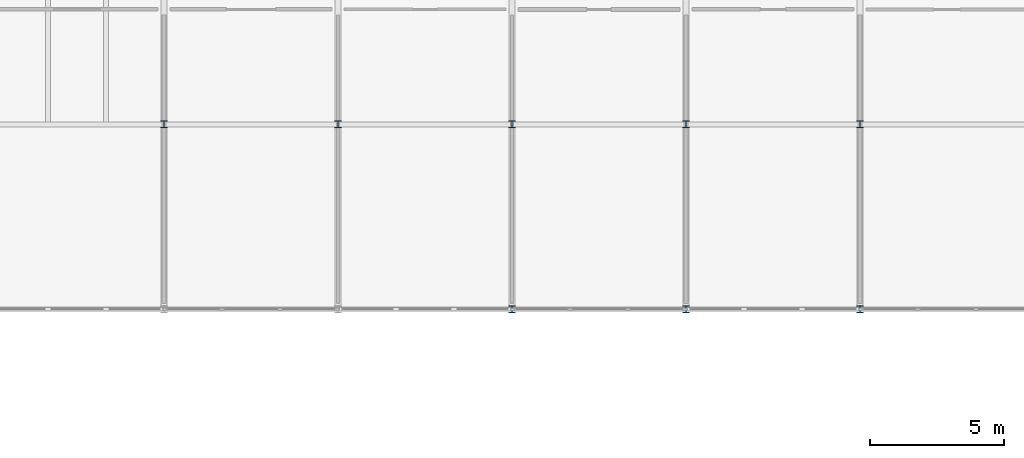
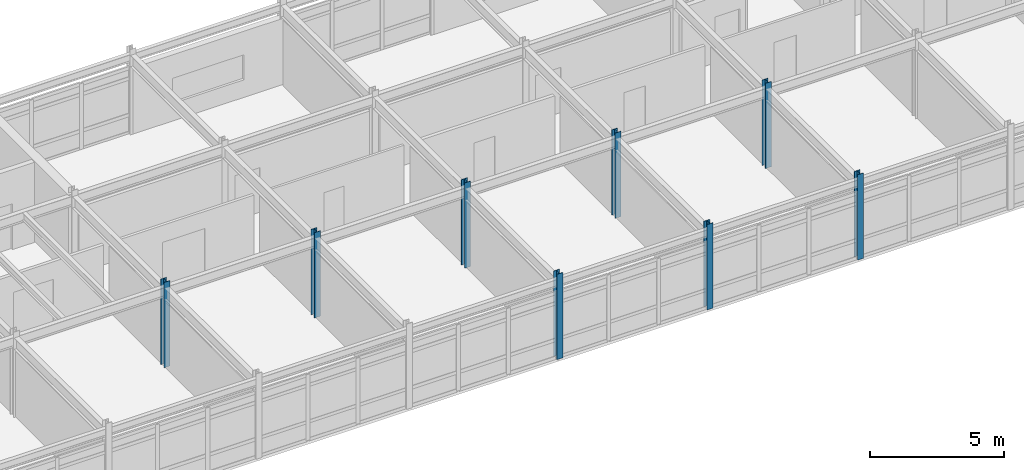
# One storey, part 7 of 57: 8 columns.
"""IFC4 building model written with IfcOpenShell, lengths in metres."""

from ifc_helpers import new_model, si_unit, direction, frame, origin, origin_2d, place, context, subcontext, project, spatial, i_section, extrude, material, material_profile, profile_set, type_object, element, save


model = new_model("IFC4")

# Units and contexts
model_context = context("Model", 3, precision=1e-05, world=origin(), true_north=direction((0.0, 1.0)))
body_context = subcontext(model_context, "Body", "Model", "MODEL_VIEW")
ifc_project = project(units=[si_unit("LENGTHUNIT", "METRE"), si_unit("AREAUNIT", "SQUARE_METRE"), si_unit("VOLUMEUNIT", "CUBIC_METRE"), si_unit("PLANEANGLEUNIT", "RADIAN"), si_unit("MASSUNIT", "GRAM", prefix="KILO")], contexts=[model_context])

# Site, building, storey
site_placement = place(None, origin())
site = spatial("IfcSite", under=ifc_project, at=site_placement, CompositionType="ELEMENT")
building_placement = place(site_placement, origin())
building = spatial("IfcBuilding", under=site, at=building_placement, Name="Trelmorton Wharf Fire Station", CompositionType="ELEMENT")
storey_placement = place(building_placement, frame((0.0, 0.0, 13.5)))
storey = spatial("IfcBuildingStorey", under=building, at=storey_placement, Name="L03", CompositionType="ELEMENT", Elevation=13.5)

# Columns
ifc_material = material(Name="Steel Grade 350", Category="steel")
ifc_material_profile = material_profile(ifc_material, i_section(OverallWidth=0.256103515625, OverallDepth=0.260009765625, WebThickness=0.010498046875, FlangeThickness=0.017333984375, FilletRadius=0.0126953125, at=origin_2d()), Name="250UC89.5")
ifc_profile_set = profile_set([ifc_material_profile], Name="Steel Grade 350")
column_type = type_object("IfcColumnType", Name="COL_250UC89", PredefinedType="COLUMN", material=ifc_profile_set)
for number, where, z_axis, x_axis, name in (
    (1, (117.0, 67.199951171875, 0.0), (0.0, 0.0, 1.0), (1.0, 0.0, 0.0), "COL-L03-0637"),
    (2, (123.5, 67.199951171875, 0.0), (0.0, 0.0, 1.0), (1.0, 0.0, 0.0), "COL-L03-0645"),
    (3, (130.0, 60.300048828125, 0.0), (0.0, 0.0, 1.0), (1.0, 0.0, 0.0), "COL-L03-0652"),
    (4, (130.0, 67.199951171875, 0.0), (0.0, 0.0, 1.0), (1.0, 0.0, 0.0), "COL-L03-0653"),
    (5, (136.5, 60.300048828125, 0.0), (0.0, 0.0, 1.0), (1.0, 0.0, 0.0), "COL-L03-0660"),
    (6, (136.5, 67.199951171875, 0.0), (0.0, 0.0, 1.0), (1.0, 0.0, 0.0), "COL-L03-0661"),
    (7, (143.0, 60.300048828125, 0.0), (0.0, 0.0, 1.0), (1.0, 0.0, 0.0), "COL-L03-0668"),
    (8, (143.0, 67.199951171875, 0.0), (0.0, 0.0, 1.0), (1.0, 0.0, 0.0), "COL-L03-0669"),
):
    element("IfcColumn", number, at=place(storey_placement, frame(where, z_axis=z_axis, x_axis=x_axis)), inside=storey, type_object=column_type, Name=name, PredefinedType="COLUMN", context=body_context, shape_type="SweptSolid", body=[
        extrude(i_section(OverallWidth=0.256103515625, OverallDepth=0.260009765625, WebThickness=0.010498046875, FlangeThickness=0.017333984375, FilletRadius=0.0126953125, at=origin_2d()), origin(), (0.0, 0.0, 1.0), 3.89990234375),
    ])

save(model, "model.ifc")
